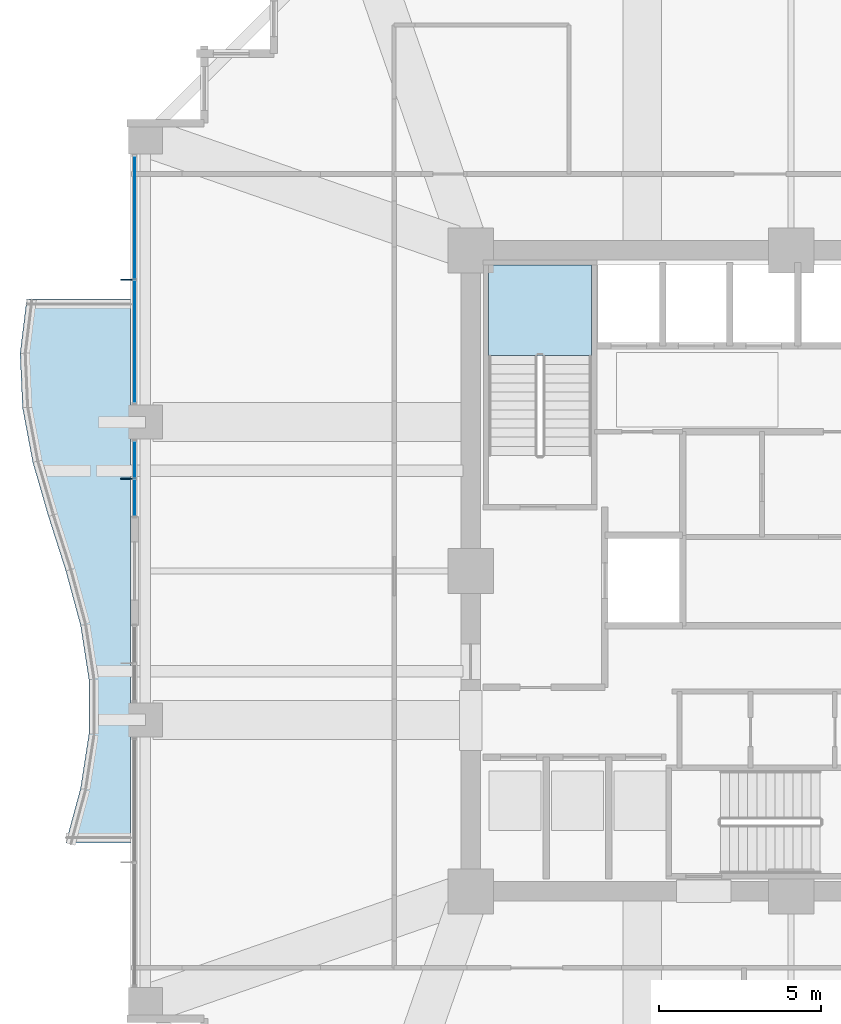
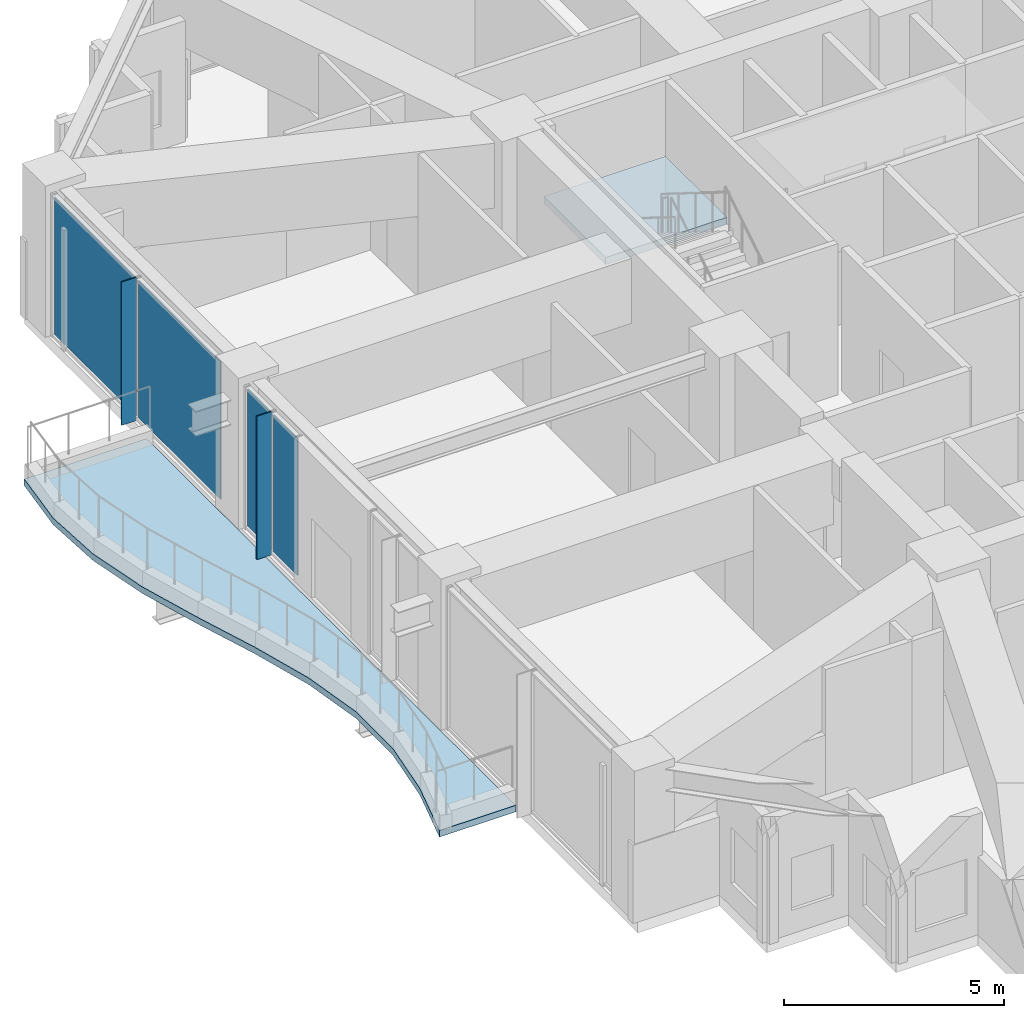
# One storey, part 29 of 40: 6 plates, 2 slabs, 3 elements without a shape of their own.
"""IFC4 building model written with IfcOpenShell, lengths in metres."""

from ifc_helpers import new_model, si_unit, direction, frame, origin, origin_2d, place, context, subcontext, project, spatial, polyline, rectangle, outline, extrude, material, layer, layer_set, type_object, element, aggregate, save


model = new_model("IFC4")

# Units and contexts
model_context = context("Model", 3, precision=1e-05, world=origin(), true_north=direction((0.0, 1.0)))
body_context = subcontext(model_context, "Body", "Model", "MODEL_VIEW")
ifc_project = project(units=[si_unit("LENGTHUNIT", "METRE"), si_unit("AREAUNIT", "SQUARE_METRE"), si_unit("VOLUMEUNIT", "CUBIC_METRE"), si_unit("PLANEANGLEUNIT", "RADIAN"), si_unit("MASSUNIT", "GRAM", prefix="KILO")], contexts=[model_context])

# Site, building, storey
site_placement = place(None, origin())
site = spatial("IfcSite", under=ifc_project, at=site_placement, CompositionType="ELEMENT")
building_placement = place(site_placement, origin())
building = spatial("IfcBuilding", under=site, at=building_placement, Name="Kolvaren Belvedere", CompositionType="ELEMENT")
storey_placement = place(building_placement, frame((0.0, 0.0, 68.0)))
storey = spatial("IfcBuildingStorey", under=building, at=storey_placement, Name="L19", CompositionType="ELEMENT", Elevation=68.0)

# Curtain wall, plates
ifc_material_1 = material(Name="Anodised pale-metal aluminium AA 6063-T6", Category="aluminium")
curtain_wall_type = type_object("IfcCurtainWallType", Name="CW-Z2-MID", PredefinedType="NOTDEFINED", material=ifc_material_1)
curtain_wall_1_placement = place(storey_placement, origin())
curtain_wall_1 = element("IfcCurtainWall", 1, at=curtain_wall_1_placement, inside=storey, type_object=curtain_wall_type, Name="L19 Unitised Curtain Wall FCW-L19-W2-B1", PredefinedType="NOTDEFINED")
ifc_material_2 = material(Name="Low-iron triple insulated glass", Category="glass")
ifc_layer_1 = layer(ifc_material_2, 0.028076171875)
ifc_layer_set_1 = layer_set([ifc_layer_1], Name="Low-iron triple insulated glass")
plate_type_1 = type_object("IfcPlateType", Name="CW-PNL-VIS28", PredefinedType="CURTAIN_PANEL", material=ifc_layer_set_1)
plate_1_placement = place(storey_placement, frame((-20.280029296875, 2.265625, 0.080078125), z_axis=(0.0, 0.0, 1.0), x_axis=(0.0, 1.0, 0.0)))
plate_1 = element("IfcPlate", 2, at=plate_1_placement, type_object=plate_type_1, Name="FCW-L19-W2-B1 Vision Glazing Panel 1", PredefinedType="CURTAIN_PANEL", context=body_context, shape_type="SweptSolid", body=[
    extrude(rectangle(XDim=1.09130859375, YDim=0.028076171875, at=origin_2d()), origin(), (0.0, 0.0, 1.0), 3.820068359375),
])
plate_2_placement = place(storey_placement, frame((-20.280029296875, 3.43701171875, 0.080078125), z_axis=(0.0, 0.0, 1.0), x_axis=(0.0, 1.0, 0.0)))
plate_2 = element("IfcPlate", 3, at=plate_2_placement, type_object=plate_type_1, Name="FCW-L19-W2-B1 Vision Glazing Panel 2", PredefinedType="CURTAIN_PANEL", context=body_context, shape_type="SweptSolid", body=[
    extrude(rectangle(XDim=1.09130859375, YDim=0.028076171875, at=origin_2d()), origin(), (0.0, 0.0, 1.0), 3.820068359375),
])
aggregate(curtain_wall_1, [plate_1, plate_2])

curtain_wall_2_placement = place(storey_placement, origin())
curtain_wall_2 = element("IfcCurtainWall", 4, at=curtain_wall_2_placement, inside=storey, type_object=curtain_wall_type, Name="L19 Unitised Curtain Wall FCW-L19-W2-B2", PredefinedType="NOTDEFINED")
plate_3_placement = place(storey_placement, frame((-20.280029296875, 7.0888671875, 0.080078125), z_axis=(0.0, 0.0, 1.0), x_axis=(0.0, 1.0, 0.0)))
plate_3 = element("IfcPlate", 5, at=plate_3_placement, type_object=plate_type_1, Name="FCW-L19-W2-B2 Vision Glazing Panel 1", PredefinedType="CURTAIN_PANEL", context=body_context, shape_type="SweptSolid", body=[
    extrude(rectangle(XDim=3.742431640625, YDim=0.028076171875, at=origin_2d()), origin(), (0.0, 0.0, 1.0), 3.820068359375),
])
plate_4_placement = place(storey_placement, frame((-20.280029296875, 10.9111328125, 0.080078125), z_axis=(0.0, 0.0, 1.0), x_axis=(0.0, 1.0, 0.0)))
plate_4 = element("IfcPlate", 6, at=plate_4_placement, type_object=plate_type_1, Name="FCW-L19-W2-B2 Vision Glazing Panel 2", PredefinedType="CURTAIN_PANEL", context=body_context, shape_type="SweptSolid", body=[
    extrude(rectangle(XDim=3.742431640625, YDim=0.028076171875, at=origin_2d()), origin(), (0.0, 0.0, 1.0), 3.820068359375),
])
aggregate(curtain_wall_2, [plate_3, plate_4])

# Plates
ifc_material_3 = material(Name="Anodised pale-metal aluminium AA 6063-T6", Category="aluminium")
ifc_layer_2 = layer(ifc_material_3, 0.033935546875)
ifc_layer_set_2 = layer_set([ifc_layer_2], Name="Anodised pale-metal aluminium AA 6063-T6")
plate_type_2 = type_object("IfcPlateType", Name="FIN-VERT-380", PredefinedType="USERDEFINED", material=ifc_layer_set_2)
for number, where, z_axis, x_axis, name in (
    (7, (-20.52490234375, 2.851318359375, 0.0), (0.0, 0.0, 1.0), (1.0, 0.0, 0.0), "L19 Pale-Metal Vertical Shading Fin FCW-L19-W2-B1-1"),
    (8, (-20.52490234375, 9.0, 0.0), (0.0, 0.0, 1.0), (1.0, 0.0, 0.0), "L19 Pale-Metal Vertical Shading Fin FCW-L19-W2-B2-1"),
):
    element("IfcPlate", number, at=place(storey_placement, frame(where, z_axis=z_axis, x_axis=x_axis)), inside=storey, type_object=plate_type_2, Name=name, ObjectType="VERTICAL FIN", PredefinedType="USERDEFINED", context=body_context, shape_type="SweptSolid", body=[
        extrude(rectangle(XDim=0.3798828125, YDim=0.033935546875, at=origin_2d()), origin(), (0.0, 0.0, 1.0), 3.97998046875),
    ])

# Slab
ifc_material_4 = material(Name="Concrete C50/60", Category="concrete")
ifc_layer_3 = layer(ifc_material_4, 0.179931640625)
ifc_layer_set_3 = layer_set([ifc_layer_3], Name="Concrete C50/60")
slab_type_1 = type_object("IfcSlabType", Name="SL-BAL-180", PredefinedType="FLOOR", material=ifc_layer_set_3)
slab_1_placement = place(storey_placement, frame((0.0, 0.0, -0.300048828125)))
element("IfcSlab", 9, at=slab_1_placement, inside=storey, type_object=slab_type_1, Name="L19 Planted Balcony BAL-W", PredefinedType="FLOOR", context=body_context, shape_type="SweptSolid", body=[
    extrude(outline(polyline([(-23.61376953125, 8.39990234375), (-23.820068359375, 6.719970703125), (-23.744140625, 5.0400390625), (-23.428466796875, 3.360107421875), (-22.9423828125, 1.679931640625), (-22.40625, 0.0), (-21.95263671875, -1.679931640625), (-21.69384765625, -3.360107421875), (-21.69384765625, -5.0400390625), (-21.95263671875, -6.719970703125), (-22.40625, -8.39990234375), (-20.39990234375, -8.39990234375), (-20.39990234375, -6.719970703125), (-20.39990234375, -5.0400390625), (-20.39990234375, -3.360107421875), (-20.39990234375, -1.679931640625), (-20.39990234375, 0.0), (-20.39990234375, 1.679931640625), (-20.39990234375, 3.360107421875), (-20.39990234375, 5.0400390625), (-20.39990234375, 6.719970703125), (-20.39990234375, 8.39990234375), (-23.61376953125, 8.39990234375)])), origin(), (0.0, 0.0, 1.0), 0.179931640625),
])

# Stair, slab
ifc_material_5 = material(Name="Concrete C50/60", Category="concrete")
stair_type = type_object("IfcStairType", Name="ST-CORE-1520", PredefinedType="HALF_TURN_STAIR", material=ifc_material_5)
stair_placement = place(storey_placement, origin())
stair = element("IfcStair", 10, at=stair_placement, inside=storey, type_object=stair_type, Name="L19 Protected Exit Stair ST-1", PredefinedType="HALF_TURN_STAIR")
ifc_material_6 = material(Name="Concrete C50/60", Category="concrete")
ifc_layer_4 = layer(ifc_material_6, 0.260009765625)
ifc_layer_set_4 = layer_set([ifc_layer_4], Name="Concrete C50/60")
slab_type_2 = type_object("IfcSlabType", Name="SL-LAND-260", PredefinedType="LANDING", material=ifc_layer_set_4)
slab_2_placement = place(storey_placement, frame((0.0, 0.0, 1.89990234375)))
slab_2 = element("IfcSlab", 11, at=slab_2_placement, type_object=slab_type_2, Name="ST-1 landing 1", PredefinedType="LANDING", context=body_context, shape_type="SweptSolid", body=[
    extrude(outline(polyline([(-6.159912109375, 6.64990234375), (-6.159912109375, 9.449951171875), (-9.35009765625, 9.449951171875), (-9.35009765625, 6.64990234375), (-6.159912109375, 6.64990234375)])), origin(), (0.0, 0.0, 1.0), 0.2001953125),
])
aggregate(stair, [slab_2])

save(model, "model.ifc")
